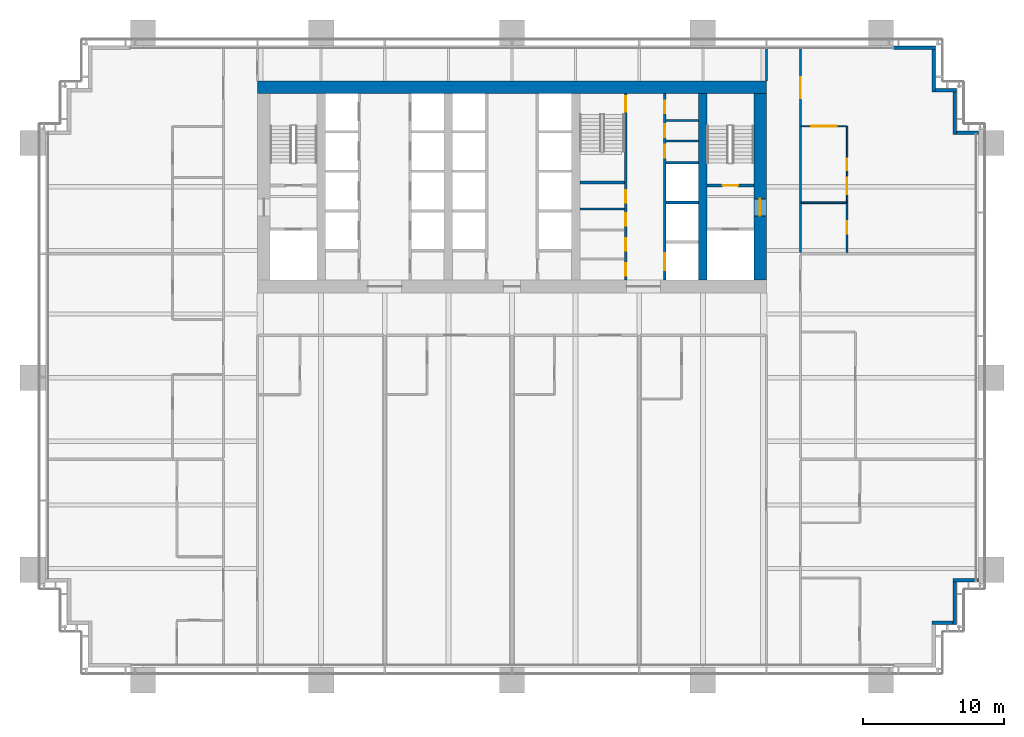
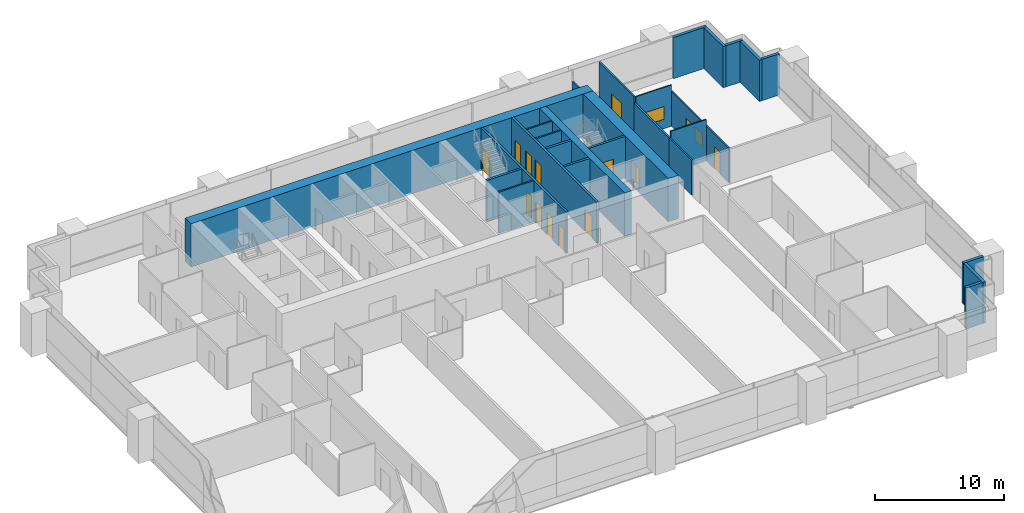
# One storey, part 14 of 19: 28 walls, 14 doors, 2 windows, 16 openings.
"""IFC4 building model written with IfcOpenShell, lengths in metres."""

from ifc_helpers import new_model, si_unit, direction, frame, frame_2d, origin, place, context, subcontext, project, spatial, rectangle, extrude, material, layer, layer_set, type_object, element, fill, save


model = new_model("IFC4")

# Units and contexts
model_context = context("Model", 3, precision=1e-05, world=origin(), true_north=direction((0.0, 1.0)))
body_context = subcontext(model_context, "Body", "Model", "MODEL_VIEW")
ifc_project = project(units=[si_unit("LENGTHUNIT", "METRE"), si_unit("AREAUNIT", "SQUARE_METRE"), si_unit("VOLUMEUNIT", "CUBIC_METRE"), si_unit("PLANEANGLEUNIT", "RADIAN"), si_unit("MASSUNIT", "GRAM", prefix="KILO")], contexts=[model_context])

# Site, building, storey
site_placement = place(None, origin())
site = spatial("IfcSite", under=ifc_project, at=site_placement, CompositionType="ELEMENT")
building_placement = place(site_placement, origin())
building = spatial("IfcBuilding", under=site, at=building_placement, Name="Rattan Terrace Tower", CompositionType="ELEMENT")
storey_placement = place(building_placement, frame((0.0, 0.0, 65.199951171875)))
storey = spatial("IfcBuildingStorey", under=building, at=storey_placement, Name="L14", CompositionType="ELEMENT", Elevation=65.199951171875)

# Walls
ifc_material_1 = material(Name="Gypsum board partition")
ifc_layer_1 = layer(ifc_material_1, 0.14990234375)
ifc_layer_set_1 = layer_set([ifc_layer_1], Name="Core partition 150")
wall_type_1 = type_object("IfcWallType", Name="Core partition 150", PredefinedType="PARTITIONING", material=ifc_layer_set_1)
wall_1_placement = place(storey_placement, frame((4.800048828125, -1.568115234375, 0.0), z_axis=(0.0, 0.0, 1.0), x_axis=(1.0, 0.0, 0.0)))
element("IfcWall", 1, at=wall_1_placement, inside=storey, type_object=wall_type_1, Name="Toilet wall", PredefinedType="PARTITIONING", context=body_context, shape_type="SweptSolid", body=[
    extrude(rectangle(XDim=3.14990234375, YDim=0.14990234375, at=frame_2d((1.574951171875, 0.0))), origin(), (0.0, 0.0, 1.0), 3.900146484375),
])
for number, where, z_axis, x_axis, name in (
    (2, (10.89990234375, 3.239990234375, 0.0), (0.0, 0.0, 1.0), (1.0, 0.0, 0.0), "Riser room wall"),
    (3, (10.89990234375, 4.679931640625, 0.0), (0.0, 0.0, 1.0), (1.0, 0.0, 0.0), "Riser room wall"),
):
    element("IfcWall", number, at=place(storey_placement, frame(where, z_axis=z_axis, x_axis=x_axis)), inside=storey, type_object=wall_type_1, Name=name, PredefinedType="PARTITIONING", context=body_context, shape_type="SweptSolid", body=[
        extrude(rectangle(XDim=2.300048828125, YDim=0.14990234375, at=frame_2d((1.14990234375, 0.0))), origin(), (0.0, 0.0, 1.0), 3.900146484375),
    ])

# Wall, opening, door
ifc_material_2 = material(Name="Gypsum board partition")
ifc_layer_2 = layer(ifc_material_2, 0.199951171875)
ifc_layer_set_2 = layer_set([ifc_layer_2], Name="Core partition 200")
wall_type_2 = type_object("IfcWallType", Name="Core partition 200", PredefinedType="PARTITIONING", material=ifc_layer_set_2)
wall_2_placement = place(storey_placement, frame((13.800048828125, 0.10009765625, 0.0), z_axis=(0.0, 0.0, 1.0), x_axis=(1.0, 0.0, 0.0)))
wall_2 = element("IfcWall", 4, at=wall_2_placement, inside=storey, type_object=wall_type_2, Name="Stair enclosure wall", PredefinedType="PARTITIONING", context=body_context, shape_type="SweptSolid", body=[
    extrude(rectangle(XDim=3.300048828125, YDim=0.199951171875, at=frame_2d((1.64990234375, 0.0))), origin(), (0.0, 0.0, 1.0), 3.900146484375),
])
opening_1_placement = place(wall_2_placement, frame((1.10009765625, 0.0, 0.0)))
opening_1 = element("IfcOpeningElement", 5, at=opening_1_placement, cuts=wall_2, Name="Opening L14-D004", PredefinedType="OPENING", context=body_context, shape_type="SweptSolid", body=[
    extrude(rectangle(XDim=1.10009765625, YDim=2.10009765625, at=frame_2d((0.550048828125, 1.050048828125))), frame((0.0, 0.110595703125, 0.0), z_axis=(0.0, -1.0, 0.0), x_axis=(1.0, 0.0, 0.0)), (0.0, 0.0, 1.0), 0.220947265625),
])
ifc_material_3 = material(Name="Hollow-metal fire door leaf")
door_type_1 = type_object("IfcDoorType", Name="Core stair door 1100", OperationType="NOTDEFINED", PredefinedType="DOOR", material=ifc_material_3)
door_1_placement = place(opening_1_placement, origin())
door_1 = element("IfcDoor", 6, at=door_1_placement, inside=storey, type_object=door_type_1, Name="Door L14-D004", OperationType="SINGLE_SWING_RIGHT", OverallHeight=2.10009765625, OverallWidth=1.10009765625, PredefinedType="DOOR", context=body_context, shape_type="SweptSolid", body=[
    extrude(rectangle(XDim=1.10009765625, YDim=2.10009765625, at=frame_2d((0.550048828125, 1.050048828125))), frame((0.0, 0.02490234375, 0.0), z_axis=(0.0, -1.0, 0.0), x_axis=(1.0, 0.0, 0.0)), (0.0, 0.0, 1.0), 0.050048828125),
])
fill(opening_1, door_1)

# Wall, openings, doors
wall_3_placement = place(storey_placement, frame((8.050048828125, -6.60009765625, 0.0), z_axis=(0.0, 0.0, 1.0), x_axis=(0.0, 1.0, 0.0)))
wall_3 = element("IfcWall", 7, at=wall_3_placement, inside=storey, type_object=wall_type_2, Name="Lobby wall west", PredefinedType="PARTITIONING", context=body_context, shape_type="SweptSolid", body=[
    extrude(rectangle(XDim=13.2001953125, YDim=0.199951171875, at=frame_2d((6.60009765625, 0.0))), origin(), (0.0, 0.0, 1.0), 3.900146484375),
])
opening_2_placement = place(wall_3_placement, frame((0.298095703125, 0.0, 0.0)))
opening_2 = element("IfcOpeningElement", 8, at=opening_2_placement, cuts=wall_3, Name="Opening L14-D011", PredefinedType="OPENING", context=body_context, shape_type="SweptSolid", body=[
    extrude(rectangle(XDim=0.89990234375, YDim=2.10009765625, at=frame_2d((0.449951171875, 1.050048828125))), frame((0.0, 0.110595703125, 0.0), z_axis=(0.0, -1.0, 0.0), x_axis=(1.0, 0.0, 0.0)), (0.0, 0.0, 1.0), 0.220947265625),
])
opening_3_placement = place(wall_3_placement, frame((2.06591796875, 0.0, 0.0)))
opening_3 = element("IfcOpeningElement", 9, at=opening_3_placement, cuts=wall_3, Name="Opening L14-D012", PredefinedType="OPENING", context=body_context, shape_type="SweptSolid", body=[
    extrude(rectangle(XDim=0.89990234375, YDim=2.10009765625, at=frame_2d((0.449951171875, 1.050048828125))), frame((0.0, 0.110595703125, 0.0), z_axis=(0.0, -1.0, 0.0), x_axis=(1.0, 0.0, 0.0)), (0.0, 0.0, 1.0), 0.220947265625),
])
opening_4_placement = place(wall_3_placement, frame((3.833984375, 0.0, 0.0)))
opening_4 = element("IfcOpeningElement", 10, at=opening_4_placement, cuts=wall_3, Name="Opening L14-D013", PredefinedType="OPENING", context=body_context, shape_type="SweptSolid", body=[
    extrude(rectangle(XDim=0.89990234375, YDim=2.10009765625, at=frame_2d((0.449951171875, 1.050048828125))), frame((0.0, 0.110595703125, 0.0), z_axis=(0.0, -1.0, 0.0), x_axis=(1.0, 0.0, 0.0)), (0.0, 0.0, 1.0), 0.220947265625),
])
opening_5_placement = place(wall_3_placement, frame((5.466064453125, 0.0, 0.0)))
opening_5 = element("IfcOpeningElement", 11, at=opening_5_placement, cuts=wall_3, Name="Opening L14-D014", PredefinedType="OPENING", context=body_context, shape_type="SweptSolid", body=[
    extrude(rectangle(XDim=0.89990234375, YDim=2.10009765625, at=frame_2d((0.449951171875, 1.050048828125))), frame((0.0, 0.110595703125, 0.0), z_axis=(0.0, -1.0, 0.0), x_axis=(1.0, 0.0, 0.0)), (0.0, 0.0, 1.0), 0.220947265625),
])
opening_6_placement = place(wall_3_placement, frame((11.89990234375, 0.0, 0.0)))
opening_6 = element("IfcOpeningElement", 12, at=opening_6_placement, cuts=wall_3, Name="Opening L14-D015", PredefinedType="OPENING", context=body_context, shape_type="SweptSolid", body=[
    extrude(rectangle(XDim=1.10009765625, YDim=2.10009765625, at=frame_2d((0.550048828125, 1.050048828125))), frame((0.0, 0.110595703125, 0.0), z_axis=(0.0, -1.0, 0.0), x_axis=(1.0, 0.0, 0.0)), (0.0, 0.0, 1.0), 0.220947265625),
])
ifc_material_4 = material(Name="Hollow-metal fire door leaf")
door_type_2 = type_object("IfcDoorType", Name="Core service room door 900", OperationType="NOTDEFINED", PredefinedType="DOOR", material=ifc_material_4)
door_2_placement = place(opening_5_placement, origin())
door_2 = element("IfcDoor", 13, at=door_2_placement, inside=storey, type_object=door_type_2, Name="Door L14-D014", OperationType="SINGLE_SWING_LEFT", OverallHeight=2.10009765625, OverallWidth=0.89990234375, PredefinedType="DOOR", context=body_context, shape_type="SweptSolid", body=[
    extrude(rectangle(XDim=0.89990234375, YDim=2.10009765625, at=frame_2d((0.449951171875, 1.050048828125))), frame((0.0, 0.02490234375, 0.0), z_axis=(0.0, -1.0, 0.0), x_axis=(1.0, 0.0, 0.0)), (0.0, 0.0, 1.0), 0.050048828125),
])
fill(opening_5, door_2)
door_3_placement = place(opening_6_placement, origin())
door_3 = element("IfcDoor", 14, at=door_3_placement, inside=storey, type_object=door_type_1, Name="Door L14-D015", OperationType="SINGLE_SWING_RIGHT", OverallHeight=2.10009765625, OverallWidth=1.10009765625, PredefinedType="DOOR", context=body_context, shape_type="SweptSolid", body=[
    extrude(rectangle(XDim=1.10009765625, YDim=2.10009765625, at=frame_2d((0.550048828125, 1.050048828125))), frame((0.0, 0.02490234375, 0.0), z_axis=(0.0, -1.0, 0.0), x_axis=(1.0, 0.0, 0.0)), (0.0, 0.0, 1.0), 0.050048828125),
])
fill(opening_6, door_3)
ifc_material_5 = material(Name="Hollow-metal fire door leaf")
door_type_3 = type_object("IfcDoorType", Name="Core toilet door 900", OperationType="NOTDEFINED", PredefinedType="DOOR", material=ifc_material_5)
door_4_placement = place(opening_2_placement, origin())
door_4 = element("IfcDoor", 15, at=door_4_placement, inside=storey, type_object=door_type_3, Name="Door L14-D011", OperationType="SINGLE_SWING_RIGHT", OverallHeight=2.10009765625, OverallWidth=0.89990234375, PredefinedType="DOOR", context=body_context, shape_type="SweptSolid", body=[
    extrude(rectangle(XDim=0.89990234375, YDim=2.10009765625, at=frame_2d((0.449951171875, 1.050048828125))), frame((0.0, 0.02490234375, 0.0), z_axis=(0.0, -1.0, 0.0), x_axis=(1.0, 0.0, 0.0)), (0.0, 0.0, 1.0), 0.050048828125),
])
fill(opening_2, door_4)
door_5_placement = place(opening_3_placement, origin())
door_5 = element("IfcDoor", 16, at=door_5_placement, inside=storey, type_object=door_type_3, Name="Door L14-D012", OperationType="SINGLE_SWING_LEFT", OverallHeight=2.10009765625, OverallWidth=0.89990234375, PredefinedType="DOOR", context=body_context, shape_type="SweptSolid", body=[
    extrude(rectangle(XDim=0.89990234375, YDim=2.10009765625, at=frame_2d((0.449951171875, 1.050048828125))), frame((0.0, 0.02490234375, 0.0), z_axis=(0.0, -1.0, 0.0), x_axis=(1.0, 0.0, 0.0)), (0.0, 0.0, 1.0), 0.050048828125),
])
fill(opening_3, door_5)
door_6_placement = place(opening_4_placement, origin())
door_6 = element("IfcDoor", 17, at=door_6_placement, inside=storey, type_object=door_type_3, Name="Door L14-D013", OperationType="SINGLE_SWING_RIGHT", OverallHeight=2.10009765625, OverallWidth=0.89990234375, PredefinedType="DOOR", context=body_context, shape_type="SweptSolid", body=[
    extrude(rectangle(XDim=0.89990234375, YDim=2.10009765625, at=frame_2d((0.449951171875, 1.050048828125))), frame((0.0, 0.02490234375, 0.0), z_axis=(0.0, -1.0, 0.0), x_axis=(1.0, 0.0, 0.0)), (0.0, 0.0, 1.0), 0.050048828125),
])
fill(opening_4, door_6)

# Walls
wall_4_placement = place(storey_placement, frame((4.800048828125, 0.300048828125, 0.0), z_axis=(0.0, 0.0, 1.0), x_axis=(1.0, 0.0, 0.0)))
element("IfcWall", 18, at=wall_4_placement, inside=storey, type_object=wall_type_2, Name="Stair enclosure wall", PredefinedType="PARTITIONING", context=body_context, shape_type="SweptSolid", body=[
    extrude(rectangle(XDim=3.14990234375, YDim=0.199951171875, at=frame_2d((1.574951171875, 0.0))), origin(), (0.0, 0.0, 1.0), 3.900146484375),
])
ifc_material_6 = material(Name="Concrete C70/85", Category="concrete")
ifc_layer_3 = layer(ifc_material_6, 0.89990234375)
ifc_layer_set_3 = layer_set([ifc_layer_3], Name="Core ring wall 900 C70/85")
wall_type_3 = type_object("IfcWallType", Name="Core ring wall 900 C70/85", PredefinedType="SHEAR", material=ifc_layer_set_3)
wall_5_placement = place(storey_placement, frame((-18.0, 7.050048828125, -0.199951171875), z_axis=(0.0, 0.0, 1.0), x_axis=(1.0, 0.0, 0.0)))
element("IfcWall", 19, at=wall_5_placement, inside=storey, type_object=wall_type_3, Name="Rear core wall north", PredefinedType="SHEAR", context=body_context, shape_type="SweptSolid", body=[
    extrude(rectangle(XDim=36.0, YDim=0.89990234375, at=frame_2d((18.0, 0.0))), origin(), (0.0, 0.0, 1.0), 4.10009765625),
])

# Wall, opening, door
wall_6_placement = place(storey_placement, frame((17.550048828125, -6.60009765625, -0.199951171875), z_axis=(0.0, 0.0, 1.0), x_axis=(0.0, 1.0, 0.0)))
wall_6 = element("IfcWall", 20, at=wall_6_placement, inside=storey, type_object=wall_type_3, Name="Rear core wall east", PredefinedType="SHEAR", context=body_context, shape_type="SweptSolid", body=[
    extrude(rectangle(XDim=13.2001953125, YDim=0.89990234375, at=frame_2d((6.60009765625, 0.0))), origin(), (0.0, 0.0, 1.0), 4.10009765625),
])
opening_7_placement = place(wall_6_placement, frame((4.550048828125, 0.0, 0.199951171875)))
opening_7 = element("IfcOpeningElement", 21, at=opening_7_placement, cuts=wall_6, Name="Opening L14-D003", PredefinedType="OPENING", context=body_context, shape_type="SweptSolid", body=[
    extrude(rectangle(XDim=1.199951171875, YDim=2.10009765625, at=frame_2d((0.60009765625, 1.050048828125))), frame((0.0, 0.46044921875, 0.0), z_axis=(0.0, -1.0, 0.0), x_axis=(1.0, 0.0, 0.0)), (0.0, 0.0, 1.0), 0.9208984375),
])
ifc_material_7 = material(Name="Hollow-metal fire door leaf")
door_type_4 = type_object("IfcDoorType", Name="Core fire-fighting lobby door 1200", OperationType="NOTDEFINED", PredefinedType="DOOR", material=ifc_material_7)
door_7_placement = place(opening_7_placement, origin())
door_7 = element("IfcDoor", 22, at=door_7_placement, inside=storey, type_object=door_type_4, Name="Door L14-D003", OperationType="SINGLE_SWING_LEFT", OverallHeight=2.10009765625, OverallWidth=1.199951171875, PredefinedType="DOOR", context=body_context, shape_type="SweptSolid", body=[
    extrude(rectangle(XDim=1.199951171875, YDim=2.10009765625, at=frame_2d((0.60009765625, 1.050048828125))), frame((0.0, 0.02490234375, 0.0), z_axis=(0.0, -1.0, 0.0), x_axis=(1.0, 0.0, 0.0)), (0.0, 0.0, 1.0), 0.050048828125),
])
fill(opening_7, door_7)

# Walls
ifc_material_8 = material(Name="Concrete C70/85", Category="concrete")
ifc_layer_4 = layer(ifc_material_8, 0.60009765625)
ifc_layer_set_4 = layer_set([ifc_layer_4], Name="Core spine wall 600 C70/85")
wall_type_4 = type_object("IfcWallType", Name="Core spine wall 600 C70/85", PredefinedType="SHEAR", material=ifc_layer_set_4)
wall_7_placement = place(storey_placement, frame((13.5, -6.60009765625, -0.199951171875), z_axis=(0.0, 0.0, 1.0), x_axis=(0.0, 1.0, 0.0)))
element("IfcWall", 23, at=wall_7_placement, inside=storey, type_object=wall_type_4, Name="Core spine wall 4", PredefinedType="SHEAR", context=body_context, shape_type="SweptSolid", body=[
    extrude(rectangle(XDim=13.2001953125, YDim=0.60009765625, at=frame_2d((6.60009765625, 0.0))), origin(), (0.0, 0.0, 1.0), 4.10009765625),
])
ifc_material_9 = material(Name="Insulated aluminium-clad stud wall", Category="aluminium")
ifc_layer_5 = layer(ifc_material_9, 0.25)
ifc_layer_set_5 = layer_set([ifc_layer_5], Name="Facade Riser Wall 250")
wall_type_5 = type_object("IfcWallType", Name="Facade Riser Wall 250", PredefinedType="SOLIDWALL", material=ifc_layer_set_5)
wall_8_placement = place(storey_placement, frame((29.705078125, -30.830078125, 0.0), z_axis=(0.0, 0.0, 1.0), x_axis=(1.0, 0.0, 0.0)))
element("IfcWall", 24, at=wall_8_placement, inside=storey, type_object=wall_type_5, Name="Riser wall L14-3", PredefinedType="SOLIDWALL", context=body_context, shape_type="SweptSolid", body=[
    extrude(rectangle(XDim=1.5, YDim=0.25, at=frame_2d((0.75, 0.0))), origin(), (0.0, 0.0, 1.0), 3.900146484375),
])
wall_9_placement = place(storey_placement, frame((31.330078125, -30.955078125, 0.0), z_axis=(0.0, 0.0, 1.0), x_axis=(0.0, 1.0, 0.0)))
element("IfcWall", 25, at=wall_9_placement, inside=storey, type_object=wall_type_5, Name="Riser wall L14-4", PredefinedType="SOLIDWALL", context=body_context, shape_type="SweptSolid", body=[
    extrude(rectangle(XDim=3.0, YDim=0.25, at=frame_2d((1.5, 0.0))), origin(), (0.0, 0.0, 1.0), 3.900146484375),
])
wall_10_placement = place(storey_placement, frame((31.205078125, -27.830078125, 0.0), z_axis=(0.0, 0.0, 1.0), x_axis=(1.0, 0.0, 0.0)))
element("IfcWall", 26, at=wall_10_placement, inside=storey, type_object=wall_type_5, Name="Riser wall L14-5", PredefinedType="SOLIDWALL", context=body_context, shape_type="SweptSolid", body=[
    extrude(rectangle(XDim=1.7998046875, YDim=0.25, at=frame_2d((0.89990234375, 0.0))), origin(), (0.0, 0.0, 1.0), 3.900146484375),
])
wall_11_placement = place(storey_placement, frame((33.0048828125, 3.830078125, 0.0), z_axis=(0.0, 0.0, 1.0), x_axis=(-1.0, 0.0, 0.0)))
element("IfcWall", 27, at=wall_11_placement, inside=storey, type_object=wall_type_5, Name="Riser wall L14-6", PredefinedType="SOLIDWALL", context=body_context, shape_type="SweptSolid", body=[
    extrude(rectangle(XDim=1.5498046875, YDim=0.25, at=frame_2d((0.77490234375, 0.0))), origin(), (0.0, 0.0, 1.0), 3.900146484375),
])
wall_12_placement = place(storey_placement, frame((31.330078125, 3.705078125, 0.0), z_axis=(0.0, 0.0, 1.0), x_axis=(0.0, 1.0, 0.0)))
element("IfcWall", 28, at=wall_12_placement, inside=storey, type_object=wall_type_5, Name="Riser wall L14-7", PredefinedType="SOLIDWALL", context=body_context, shape_type="SweptSolid", body=[
    extrude(rectangle(XDim=3.0, YDim=0.25, at=frame_2d((1.5, 0.0))), origin(), (0.0, 0.0, 1.0), 3.900146484375),
])
wall_13_placement = place(storey_placement, frame((31.455078125, 6.830078125, 0.0), z_axis=(0.0, 0.0, 1.0), x_axis=(-1.0, 0.0, 0.0)))
element("IfcWall", 29, at=wall_13_placement, inside=storey, type_object=wall_type_5, Name="Riser wall L14-8", PredefinedType="SOLIDWALL", context=body_context, shape_type="SweptSolid", body=[
    extrude(rectangle(XDim=1.5, YDim=0.25, at=frame_2d((0.75, 0.0))), origin(), (0.0, 0.0, 1.0), 3.900146484375),
])
wall_14_placement = place(storey_placement, frame((29.830078125, 6.705078125, 0.0), z_axis=(0.0, 0.0, 1.0), x_axis=(0.0, 1.0, 0.0)))
element("IfcWall", 30, at=wall_14_placement, inside=storey, type_object=wall_type_5, Name="Riser wall L14-9", PredefinedType="SOLIDWALL", context=body_context, shape_type="SweptSolid", body=[
    extrude(rectangle(XDim=3.0, YDim=0.25, at=frame_2d((1.5, 0.0))), origin(), (0.0, 0.0, 1.0), 3.900146484375),
])
wall_15_placement = place(storey_placement, frame((29.955078125, 9.830078125, 0.0), z_axis=(0.0, 0.0, 1.0), x_axis=(-1.0, 0.0, 0.0)))
element("IfcWall", 31, at=wall_15_placement, inside=storey, type_object=wall_type_5, Name="Riser wall L14-10", PredefinedType="SOLIDWALL", context=body_context, shape_type="SweptSolid", body=[
    extrude(rectangle(XDim=2.955078125, YDim=0.25, at=frame_2d((1.4775390625, 0.0))), origin(), (0.0, 0.0, 1.0), 3.900146484375),
])

# Wall, opening, window
ifc_material_10 = material(Name="Gypsum board partition on steel studs", Category="steel")
ifc_layer_6 = layer(ifc_material_10, 0.10009765625)
ifc_layer_set_6 = layer_set([ifc_layer_6], Name="Floors Partition 100")
wall_type_6 = type_object("IfcWallType", Name="Floors Partition 100", PredefinedType="PARTITIONING", material=ifc_layer_set_6)
wall_16_placement = place(storey_placement, frame((23.64990234375, 4.27294921875, 0.0), z_axis=(0.0, 0.0, 1.0), x_axis=(-1.0, 0.0, 0.0)))
wall_16 = element("IfcWall", 32, at=wall_16_placement, inside=storey, type_object=wall_type_6, Name="pt-L14-060", PredefinedType="PARTITIONING", context=body_context, shape_type="SweptSolid", body=[
    extrude(rectangle(XDim=3.1748046875, YDim=0.10009765625, at=frame_2d((1.58740234375, 0.0))), origin(), (0.0, 0.0, 1.0), 3.900146484375),
])
opening_8_placement = place(wall_16_placement, frame((0.68798828125, 0.0, 0.89990234375)))
opening_8 = element("IfcOpeningElement", 33, at=opening_8_placement, cuts=wall_16, Name="Opening L14-W101", PredefinedType="OPENING", context=body_context, shape_type="SweptSolid", body=[
    extrude(rectangle(XDim=1.800048828125, YDim=1.199951171875, at=frame_2d((0.89990234375, 0.60009765625))), frame((0.0, 0.060546875, 0.0), z_axis=(0.0, -1.0, 0.0), x_axis=(1.0, 0.0, 0.0)), (0.0, 0.0, 1.0), 0.12109375),
])
ifc_material_11 = material(Name="Glass, clear, fixed in aluminium frame", Category="aluminium")
window_type_1 = type_object("IfcWindowType", Name="Interior Vision Window 1800x1200", PartitioningType="SINGLE_PANEL", PredefinedType="WINDOW", material=ifc_material_11)
window_1_placement = place(opening_8_placement, origin())
window_1 = element("IfcWindow", 34, at=window_1_placement, inside=storey, type_object=window_type_1, Name="w-L14-101", OverallHeight=1.199951171875, OverallWidth=1.800048828125, PartitioningType="SINGLE_PANEL", PredefinedType="WINDOW", context=body_context, shape_type="SweptSolid", body=[
    extrude(rectangle(XDim=1.800048828125, YDim=1.199951171875, at=frame_2d((0.89990234375, 0.60009765625))), frame((0.0, 0.030029296875, 0.0), z_axis=(0.0, -1.0, 0.0), x_axis=(1.0, 0.0, 0.0)), (0.0, 0.0, 1.0), 0.06005859375),
])
fill(opening_8, window_1)

# Wall, openings, door, window
wall_17_placement = place(storey_placement, frame((23.699951171875, -1.10693359375, 0.0), z_axis=(0.0, 0.0, 1.0), x_axis=(0.0, 1.0, 0.0)))
wall_17 = element("IfcWall", 35, at=wall_17_placement, inside=storey, type_object=wall_type_6, Name="pt-L14-061", PredefinedType="PARTITIONING", context=body_context, shape_type="SweptSolid", body=[
    extrude(rectangle(XDim=5.3798828125, YDim=0.10009765625, at=frame_2d((2.68994140625, 0.0))), origin(), (0.0, 0.0, 1.0), 3.300048828125),
])
opening_9_placement = place(wall_17_placement, frame((2.2900390625, 0.0, 0.0)))
opening_9 = element("IfcOpeningElement", 36, at=opening_9_placement, cuts=wall_17, Name="Opening L14-D116", PredefinedType="OPENING", context=body_context, shape_type="SweptSolid", body=[
    extrude(rectangle(XDim=0.800048828125, YDim=2.10009765625, at=frame_2d((0.39990234375, 1.050048828125))), frame((0.0, 0.060546875, 0.0), z_axis=(0.0, -1.0, 0.0), x_axis=(1.0, 0.0, 0.0)), (0.0, 0.0, 1.0), 0.12109375),
])
opening_10_placement = place(wall_17_placement, frame((0.56494140625, 0.0, 0.89990234375)))
opening_10 = element("IfcOpeningElement", 37, at=opening_10_placement, cuts=wall_17, Name="Opening L14-W102", PredefinedType="OPENING", context=body_context, shape_type="SweptSolid", body=[
    extrude(rectangle(XDim=1.199951171875, YDim=1.199951171875, at=frame_2d((0.60009765625, 0.60009765625))), frame((0.0, 0.060546875, 0.0), z_axis=(0.0, -1.0, 0.0), x_axis=(1.0, 0.0, 0.0)), (0.0, 0.0, 1.0), 0.12109375),
])
ifc_material_12 = material(Name="Solid core timber door, painted", Category="wood")
door_type_5 = type_object("IfcDoorType", Name="Floors Store Door 800x2100", OperationType="NOTDEFINED", PredefinedType="DOOR", material=ifc_material_12)
door_8_placement = place(opening_9_placement, origin())
door_8 = element("IfcDoor", 38, at=door_8_placement, inside=storey, type_object=door_type_5, Name="d-L14-116", OperationType="SINGLE_SWING_LEFT", OverallHeight=2.10009765625, OverallWidth=0.800048828125, PredefinedType="DOOR", context=body_context, shape_type="SweptSolid", body=[
    extrude(rectangle(XDim=0.800048828125, YDim=2.10009765625, at=frame_2d((0.39990234375, 1.050048828125))), frame((0.0, 0.02490234375, 0.0), z_axis=(0.0, -1.0, 0.0), x_axis=(1.0, 0.0, 0.0)), (0.0, 0.0, 1.0), 0.050048828125),
])
fill(opening_9, door_8)
ifc_material_13 = material(Name="Glass, clear, fixed in aluminium frame", Category="aluminium")
window_type_2 = type_object("IfcWindowType", Name="Interior Vision Window 1200x1200", PartitioningType="SINGLE_PANEL", PredefinedType="WINDOW", material=ifc_material_13)
window_2_placement = place(opening_10_placement, origin())
window_2 = element("IfcWindow", 39, at=window_2_placement, inside=storey, type_object=window_type_2, Name="w-L14-102", OverallHeight=1.199951171875, OverallWidth=1.199951171875, PartitioningType="SINGLE_PANEL", PredefinedType="WINDOW", context=body_context, shape_type="SweptSolid", body=[
    extrude(rectangle(XDim=1.199951171875, YDim=1.199951171875, at=frame_2d((0.60009765625, 0.60009765625))), frame((0.0, 0.030029296875, 0.0), z_axis=(0.0, -1.0, 0.0), x_axis=(1.0, 0.0, 0.0)), (0.0, 0.0, 1.0), 0.06005859375),
])
fill(opening_10, window_2)

# Wall, opening, door
ifc_material_14 = material(Name="Gypsum board partition on steel studs, fire rated", Category="steel")
ifc_layer_7 = layer(ifc_material_14, 0.14990234375)
ifc_layer_set_7 = layer_set([ifc_layer_7], Name="Floors Tenancy Wall 150")
wall_type_7 = type_object("IfcWallType", Name="Floors Tenancy Wall 150", PredefinedType="PARTITIONING", material=ifc_layer_set_7)
wall_18_placement = place(storey_placement, frame((20.39990234375, 9.739990234375, 0.0), z_axis=(0.0, 0.0, 1.0), x_axis=(0.0, -1.0, 0.0)))
wall_18 = element("IfcWall", 40, at=wall_18_placement, inside=storey, type_object=wall_type_7, Name="pt-L14-015", PredefinedType="PARTITIONING", context=body_context, shape_type="SweptSolid", body=[
    extrude(rectangle(XDim=5.447021484375, YDim=0.14990234375, at=frame_2d((2.7236328125, 0.0))), origin(), (0.0, 0.0, 1.0), 3.900146484375),
])
opening_11_placement = place(wall_18_placement, frame((1.97412109375, 0.0, 0.0)))
opening_11 = element("IfcOpeningElement", 41, at=opening_11_placement, cuts=wall_18, Name="Opening L14-D114", PredefinedType="OPENING", context=body_context, shape_type="SweptSolid", body=[
    extrude(rectangle(XDim=1.5, YDim=2.10009765625, at=frame_2d((0.75, 1.050048828125))), frame((0.0, 0.08544921875, 0.0), z_axis=(0.0, -1.0, 0.0), x_axis=(1.0, 0.0, 0.0)), (0.0, 0.0, 1.0), 0.1708984375),
])
ifc_material_15 = material(Name="Steel fire door set", Category="steel")
door_type_6 = type_object("IfcDoorType", Name="Floors Unit Door Pair FD30S 1500x2100", OperationType="NOTDEFINED", PredefinedType="DOOR", material=ifc_material_15)
door_9_placement = place(opening_11_placement, origin())
door_9 = element("IfcDoor", 42, at=door_9_placement, inside=storey, type_object=door_type_6, Name="d-L14-114", OperationType="DOUBLE_DOOR_SINGLE_SWING", OverallHeight=2.10009765625, OverallWidth=1.5, PredefinedType="DOOR", context=body_context, shape_type="SweptSolid", body=[
    extrude(rectangle(XDim=1.5, YDim=2.10009765625, at=frame_2d((0.75, 1.050048828125))), frame((0.0, 0.02490234375, 0.0), z_axis=(0.0, -1.0, 0.0), x_axis=(1.0, 0.0, 0.0)), (0.0, 0.0, 1.0), 0.050048828125),
])
fill(opening_11, door_9)

# Walls
wall_19_placement = place(storey_placement, frame((20.39990234375, -1.14697265625, 0.0), z_axis=(0.0, 0.0, 1.0), x_axis=(0.0, -1.0, 0.0)))
element("IfcWall", 43, at=wall_19_placement, inside=storey, type_object=wall_type_7, Name="pt-L14-016", PredefinedType="PARTITIONING", context=body_context, shape_type="SweptSolid", body=[
    extrude(rectangle(XDim=3.489990234375, YDim=0.14990234375, at=frame_2d((1.7451171875, 0.0))), origin(), (0.0, 0.0, 1.0), 3.300048828125),
])
wall_20_placement = place(storey_placement, frame((20.39990234375, 4.29296875, 0.0), z_axis=(0.0, 0.0, 1.0), x_axis=(0.0, -1.0, 0.0)))
element("IfcWall", 44, at=wall_20_placement, inside=storey, type_object=wall_type_7, Name="pt-L14-017", PredefinedType="PARTITIONING", context=body_context, shape_type="SweptSolid", body=[
    extrude(rectangle(XDim=5.43994140625, YDim=0.14990234375, at=frame_2d((2.719970703125, 0.0))), origin(), (0.0, 0.0, 1.0), 3.300048828125),
])
wall_21_placement = place(storey_placement, frame((18.0, 7.47998046875, 0.0), z_axis=(0.0, 0.0, 1.0), x_axis=(0.0, 1.0, 0.0)))
element("IfcWall", 45, at=wall_21_placement, inside=storey, type_object=wall_type_7, Name="pt-L14-019", PredefinedType="PARTITIONING", context=body_context, shape_type="SweptSolid", body=[
    extrude(rectangle(XDim=2.260009765625, YDim=0.14990234375, at=frame_2d((1.1298828125, 0.0))), origin(), (0.0, 0.0, 1.0), 2.900146484375),
])

# Wall, opening, door
ifc_material_16 = material(Name="Moisture resistant gypsum board partition on steel studs with service cavity", Category="steel")
ifc_layer_8 = layer(ifc_material_16, 0.1201171875)
ifc_layer_set_8 = layer_set([ifc_layer_8], Name="Floors Wet Wall 120")
wall_type_8 = type_object("IfcWallType", Name="Floors Wet Wall 120", PredefinedType="PARTITIONING", material=ifc_layer_set_8)
wall_22_placement = place(storey_placement, frame((23.699951171875, -4.636962890625, 0.0), z_axis=(0.0, 0.0, 1.0), x_axis=(0.0, 1.0, 0.0)))
wall_22 = element("IfcWall", 46, at=wall_22_placement, inside=storey, type_object=wall_type_8, Name="pt-L14-059", PredefinedType="PARTITIONING", context=body_context, shape_type="SweptSolid", body=[
    extrude(rectangle(XDim=3.530029296875, YDim=0.1201171875, at=frame_2d((1.76513671875, 0.0))), origin(), (0.0, 0.0, 1.0), 3.300048828125),
])
opening_12_placement = place(wall_22_placement, frame((1.31494140625, 0.0, 0.0)))
opening_12 = element("IfcOpeningElement", 47, at=opening_12_placement, cuts=wall_22, Name="Opening L14-D115", PredefinedType="OPENING", context=body_context, shape_type="SweptSolid", body=[
    extrude(rectangle(XDim=0.89990234375, YDim=2.10009765625, at=frame_2d((0.449951171875, 1.050048828125))), frame((0.0, 0.070556640625, 0.0), z_axis=(0.0, -1.0, 0.0), x_axis=(1.0, 0.0, 0.0)), (0.0, 0.0, 1.0), 0.14111328125),
])
ifc_material_17 = material(Name="Solid core timber door, painted", Category="wood")
door_type_7 = type_object("IfcDoorType", Name="Floors Door 900x2100", OperationType="NOTDEFINED", PredefinedType="DOOR", material=ifc_material_17)
door_10_placement = place(opening_12_placement, origin())
door_10 = element("IfcDoor", 48, at=door_10_placement, inside=storey, type_object=door_type_7, Name="d-L14-115", OperationType="SINGLE_SWING_RIGHT", OverallHeight=2.10009765625, OverallWidth=0.89990234375, PredefinedType="DOOR", context=body_context, shape_type="SweptSolid", body=[
    extrude(rectangle(XDim=0.89990234375, YDim=2.10009765625, at=frame_2d((0.449951171875, 1.050048828125))), frame((0.0, 0.02490234375, 0.0), z_axis=(0.0, -1.0, 0.0), x_axis=(1.0, 0.0, 0.0)), (0.0, 0.0, 1.0), 0.050048828125),
])
fill(opening_12, door_10)

# Wall
wall_23_placement = place(storey_placement, frame((20.47509765625, -1.126953125, 0.0), z_axis=(0.0, 0.0, 1.0), x_axis=(1.0, 0.0, 0.0)))
element("IfcWall", 49, at=wall_23_placement, inside=storey, type_object=wall_type_8, Name="pt-L14-062", PredefinedType="PARTITIONING", context=body_context, shape_type="SweptSolid", body=[
    extrude(rectangle(XDim=3.164794921875, YDim=0.1201171875, at=frame_2d((1.58251953125, 0.0))), origin(), (0.0, 0.0, 1.0), 3.900146484375),
])

# Wall, openings, doors
ifc_material_18 = material(Name="Gypsum shaft wall system")
ifc_layer_9 = layer(ifc_material_18, 0.199951171875)
ifc_layer_set_9 = layer_set([ifc_layer_9], Name="Lift shaft wall 200")
wall_type_9 = type_object("IfcWallType", Name="Lift shaft wall 200", PredefinedType="PARTITIONING", material=ifc_layer_set_9)
wall_24_placement = place(storey_placement, frame((10.800048828125, -6.60009765625, 0.0), z_axis=(0.0, 0.0, 1.0), x_axis=(0.0, 1.0, 0.0)))
wall_24 = element("IfcWall", 50, at=wall_24_placement, inside=storey, type_object=wall_type_9, Name="Lift shaft front wall", PredefinedType="PARTITIONING", context=body_context, shape_type="SweptSolid", body=[
    extrude(rectangle(XDim=13.2001953125, YDim=0.199951171875, at=frame_2d((6.60009765625, 0.0))), origin(), (0.0, 0.0, 1.0), 3.900146484375),
])
opening_13_placement = place(wall_24_placement, frame((0.699951171875, 0.0, 0.0)))
opening_13 = element("IfcOpeningElement", 51, at=opening_13_placement, cuts=wall_24, Name="Opening L14-LD-SV1", PredefinedType="OPENING", context=body_context, shape_type="SweptSolid", body=[
    extrude(rectangle(XDim=1.199951171875, YDim=2.10009765625, at=frame_2d((0.60009765625, 1.050048828125))), frame((0.0, 0.110595703125, 0.0), z_axis=(0.0, -1.0, 0.0), x_axis=(1.0, 0.0, 0.0)), (0.0, 0.0, 1.0), 0.220947265625),
])
opening_14_placement = place(wall_24_placement, frame((8.669921875, 0.0, 0.0)))
opening_14 = element("IfcOpeningElement", 52, at=opening_14_placement, cuts=wall_24, Name="Opening L14-D017", PredefinedType="OPENING", context=body_context, shape_type="SweptSolid", body=[
    extrude(rectangle(XDim=0.89990234375, YDim=2.10009765625, at=frame_2d((0.449951171875, 1.050048828125))), frame((0.0, 0.110595703125, 0.0), z_axis=(0.0, -1.0, 0.0), x_axis=(1.0, 0.0, 0.0)), (0.0, 0.0, 1.0), 0.220947265625),
])
opening_15_placement = place(wall_24_placement, frame((10.110107421875, 0.0, 0.0)))
opening_15 = element("IfcOpeningElement", 53, at=opening_15_placement, cuts=wall_24, Name="Opening L14-D018", PredefinedType="OPENING", context=body_context, shape_type="SweptSolid", body=[
    extrude(rectangle(XDim=0.89990234375, YDim=2.10009765625, at=frame_2d((0.449951171875, 1.050048828125))), frame((0.0, 0.110595703125, 0.0), z_axis=(0.0, -1.0, 0.0), x_axis=(1.0, 0.0, 0.0)), (0.0, 0.0, 1.0), 0.220947265625),
])
opening_16_placement = place(wall_24_placement, frame((11.7900390625, 0.0, 0.0)))
opening_16 = element("IfcOpeningElement", 54, at=opening_16_placement, cuts=wall_24, Name="Opening L14-D019", PredefinedType="OPENING", context=body_context, shape_type="SweptSolid", body=[
    extrude(rectangle(XDim=0.89990234375, YDim=2.10009765625, at=frame_2d((0.449951171875, 1.050048828125))), frame((0.0, 0.110595703125, 0.0), z_axis=(0.0, -1.0, 0.0), x_axis=(1.0, 0.0, 0.0)), (0.0, 0.0, 1.0), 0.220947265625),
])
ifc_material_19 = material(Name="Brushed stainless landing door panel")
door_type_8 = type_object("IfcDoorType", Name="Core lift landing door 1200", OperationType="DOUBLE_DOOR_SLIDING", PredefinedType="DOOR", material=ifc_material_19)
door_11_placement = place(opening_13_placement, origin())
door_11 = element("IfcDoor", 55, at=door_11_placement, inside=storey, type_object=door_type_8, Name="Door L14-LD-SV1", OperationType="DOUBLE_DOOR_SLIDING", OverallHeight=2.10009765625, OverallWidth=1.199951171875, PredefinedType="DOOR", context=body_context, shape_type="SweptSolid", body=[
    extrude(rectangle(XDim=1.199951171875, YDim=2.10009765625, at=frame_2d((0.60009765625, 1.050048828125))), frame((0.0, 0.02490234375, 0.0), z_axis=(0.0, -1.0, 0.0), x_axis=(1.0, 0.0, 0.0)), (0.0, 0.0, 1.0), 0.050048828125),
])
fill(opening_13, door_11)
ifc_material_20 = material(Name="Hollow-metal fire door leaf")
door_type_9 = type_object("IfcDoorType", Name="Core riser door 900", OperationType="NOTDEFINED", PredefinedType="DOOR", material=ifc_material_20)
door_12_placement = place(opening_14_placement, origin())
door_12 = element("IfcDoor", 56, at=door_12_placement, inside=storey, type_object=door_type_9, Name="Door L14-D017", OperationType="SINGLE_SWING_LEFT", OverallHeight=2.10009765625, OverallWidth=0.89990234375, PredefinedType="DOOR", context=body_context, shape_type="SweptSolid", body=[
    extrude(rectangle(XDim=0.89990234375, YDim=2.10009765625, at=frame_2d((0.449951171875, 1.050048828125))), frame((0.0, 0.02490234375, 0.0), z_axis=(0.0, -1.0, 0.0), x_axis=(1.0, 0.0, 0.0)), (0.0, 0.0, 1.0), 0.050048828125),
])
fill(opening_14, door_12)
door_13_placement = place(opening_15_placement, origin())
door_13 = element("IfcDoor", 57, at=door_13_placement, inside=storey, type_object=door_type_9, Name="Door L14-D018", OperationType="SINGLE_SWING_RIGHT", OverallHeight=2.10009765625, OverallWidth=0.89990234375, PredefinedType="DOOR", context=body_context, shape_type="SweptSolid", body=[
    extrude(rectangle(XDim=0.89990234375, YDim=2.10009765625, at=frame_2d((0.449951171875, 1.050048828125))), frame((0.0, 0.02490234375, 0.0), z_axis=(0.0, -1.0, 0.0), x_axis=(1.0, 0.0, 0.0)), (0.0, 0.0, 1.0), 0.050048828125),
])
fill(opening_15, door_13)
door_14_placement = place(opening_16_placement, origin())
door_14 = element("IfcDoor", 58, at=door_14_placement, inside=storey, type_object=door_type_2, Name="Door L14-D019", OperationType="SINGLE_SWING_LEFT", OverallHeight=2.10009765625, OverallWidth=0.89990234375, PredefinedType="DOOR", context=body_context, shape_type="SweptSolid", body=[
    extrude(rectangle(XDim=0.89990234375, YDim=2.10009765625, at=frame_2d((0.449951171875, 1.050048828125))), frame((0.0, 0.02490234375, 0.0), z_axis=(0.0, -1.0, 0.0), x_axis=(1.0, 0.0, 0.0)), (0.0, 0.0, 1.0), 0.050048828125),
])
fill(opening_16, door_14)

# Walls
for number, where, z_axis, x_axis, name in (
    (59, (10.89990234375, -1.10009765625, 0.0), (0.0, 0.0, 1.0), (1.0, 0.0, 0.0), "Lift shaft wall"),
    (60, (10.89990234375, 1.699951171875, 0.0), (0.0, 0.0, 1.0), (1.0, 0.0, 0.0), "Lift shaft wall"),
):
    element("IfcWall", number, at=place(storey_placement, frame(where, z_axis=z_axis, x_axis=x_axis)), inside=storey, type_object=wall_type_9, Name=name, PredefinedType="PARTITIONING", context=body_context, shape_type="SweptSolid", body=[
        extrude(rectangle(XDim=2.300048828125, YDim=0.199951171875, at=frame_2d((1.14990234375, 0.0))), origin(), (0.0, 0.0, 1.0), 3.900146484375),
    ])

save(model, "model.ifc")
